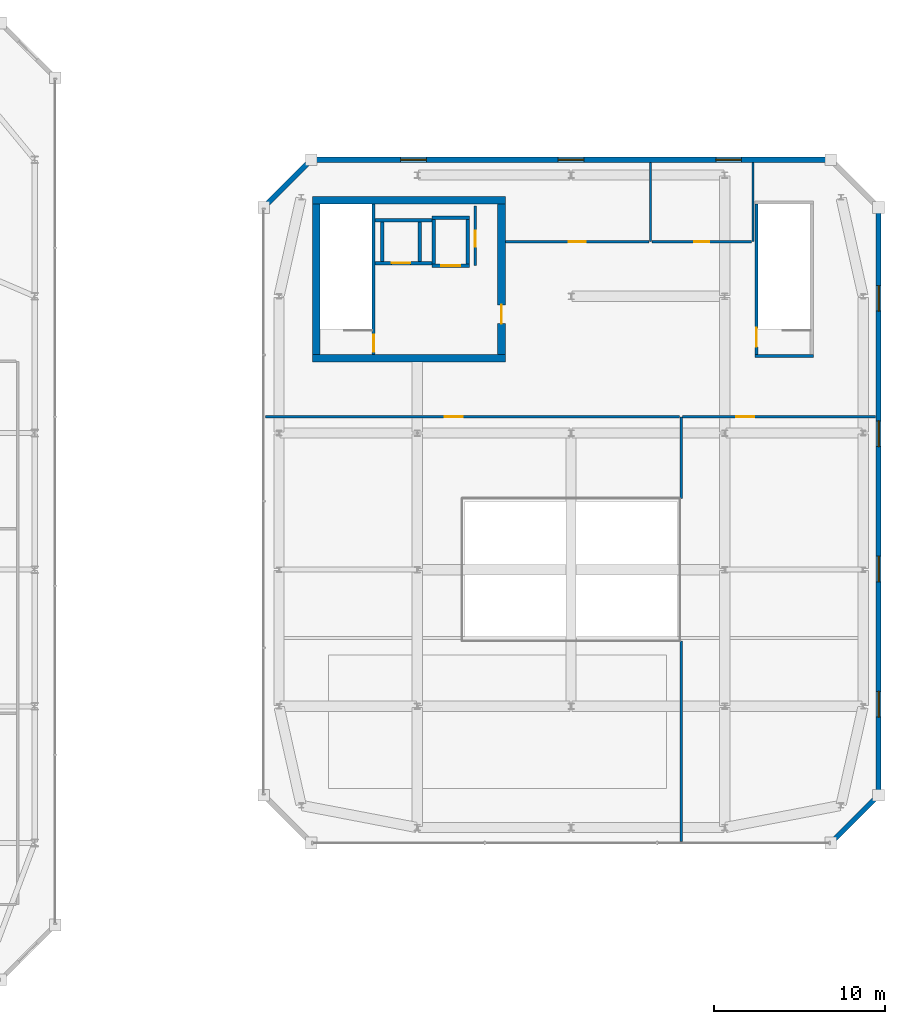
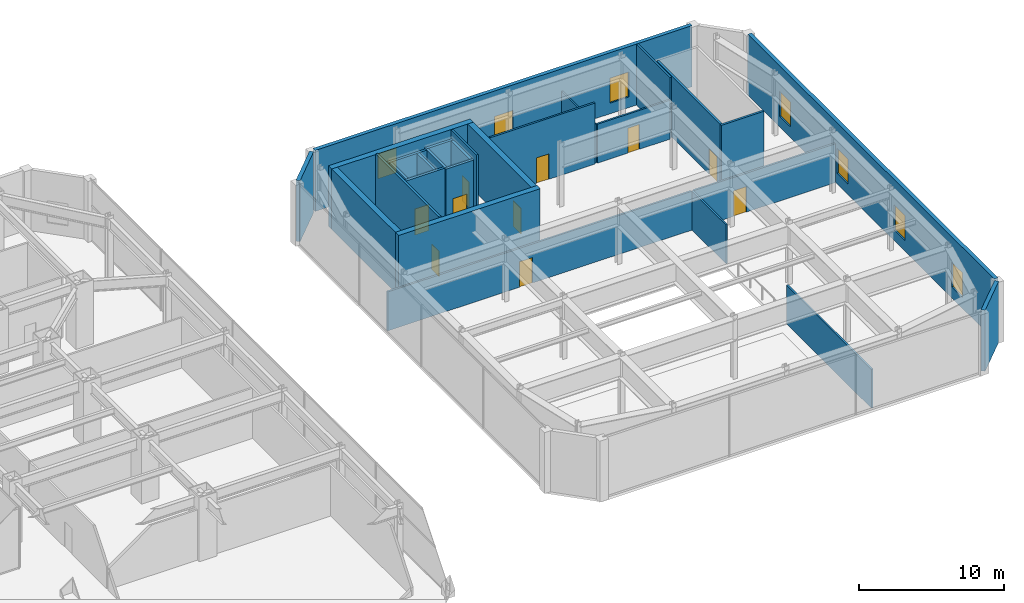
# One storey, part 46 of 53: 28 walls, 10 doors, 7 windows, 17 openings.
"""IFC4 building model written with IfcOpenShell, lengths in metres."""

from ifc_helpers import new_model, si_unit, direction, frame, frame_2d, origin, place, context, subcontext, project, spatial, rectangle, extrude, material, layer, layer_set, type_object, element, fill, save


model = new_model("IFC4")

# Units and contexts
model_context = context("Model", 3, precision=1e-05, world=origin(), true_north=direction((0.0, 1.0)))
body_context = subcontext(model_context, "Body", "Model", "MODEL_VIEW")
ifc_project = project(units=[si_unit("LENGTHUNIT", "METRE"), si_unit("AREAUNIT", "SQUARE_METRE"), si_unit("VOLUMEUNIT", "CUBIC_METRE"), si_unit("PLANEANGLEUNIT", "RADIAN"), si_unit("MASSUNIT", "GRAM", prefix="KILO")], contexts=[model_context])

# Site, building, storey
site_placement = place(None, origin())
site = spatial("IfcSite", under=ifc_project, at=site_placement, CompositionType="ELEMENT")
building_placement = place(site_placement, origin())
building = spatial("IfcBuilding", under=site, at=building_placement, Name="Saevonmaru Cultural Tower", CompositionType="ELEMENT")
storey_placement = place(building_placement, frame((0.0, 0.0, 22.199951171875)))
storey = spatial("IfcBuildingStorey", under=building, at=storey_placement, Name="L04", CompositionType="ELEMENT", Elevation=22.199951171875)

# Wall, opening, door
ifc_material_1 = material(Name="Gypsum Fireboard Partition", Category="gypsum")
ifc_layer_1 = layer(ifc_material_1, 0.14990234375, Name="Gypsum Fireboard Partition")
ifc_layer_set_1 = layer_set([ifc_layer_1], Name="Gypsum Fireboard Partition")
wall_type_1 = type_object("IfcWallType", Name="WL-CORE-PART-150", PredefinedType="PARTITIONING", material=ifc_layer_set_1)
wall_1_placement = place(storey_placement, frame((84.60009765625, 41.800048828125, 0.0), z_axis=(0.0, 0.0, 1.0), x_axis=(0.0, 1.0, 0.0)))
wall_1 = element("IfcWall", 1, at=wall_1_placement, inside=storey, type_object=wall_type_1, Name="L04 Library Core Riser Wall", PredefinedType="PARTITIONING", context=body_context, shape_type="SweptSolid", body=[
    extrude(rectangle(XDim=3.5, YDim=0.14990234375, at=frame_2d((1.75, 0.0))), origin(), (0.0, 0.0, 1.0), 5.150146484375),
])
opening_1_placement = place(wall_1_placement, frame((1.10009765625, 0.0, 0.0)))
opening_1 = element("IfcOpeningElement", 2, at=opening_1_placement, cuts=wall_1, Name="Opening FD-4", PredefinedType="OPENING", context=body_context, shape_type="SweptSolid", body=[
    extrude(rectangle(XDim=0.949951171875, YDim=2.14990234375, at=frame_2d((0.47509765625, 1.074951171875))), frame((0.0, 0.0849609375, 0.0), z_axis=(0.0, -1.0, 0.0), x_axis=(1.0, 0.0, 0.0)), (0.0, 0.0, 1.0), 0.169921875),
])
ifc_material_2 = material(Name="Satin Bronze Anodised Aluminium", Category="aluminium")
door_type_1 = type_object("IfcDoorType", Name="DR-FD60-950", OperationType="SINGLE_SWING_LEFT", PredefinedType="DOOR", material=ifc_material_2)
door_1_placement = place(opening_1_placement, origin())
door_1 = element("IfcDoor", 3, at=door_1_placement, inside=storey, type_object=door_type_1, Name="L04 Library Core Riser Plant Door", OperationType="SINGLE_SWING_LEFT", OverallHeight=2.14990234375, OverallWidth=0.949951171875, PredefinedType="DOOR", context=body_context, shape_type="SweptSolid", body=[
    extrude(rectangle(XDim=0.949951171875, YDim=2.14990234375, at=frame_2d((0.47509765625, 1.074951171875))), frame((0.0, 0.02490234375, 0.0), z_axis=(0.0, -1.0, 0.0), x_axis=(1.0, 0.0, 0.0)), (0.0, 0.0, 1.0), 0.050048828125),
])
fill(opening_1, door_1)

# Wall
ifc_material_3 = material(Name="Warm Limestone Precast Concrete C40/50", Category="masonry")
ifc_layer_2 = layer(ifc_material_3, 0.300048828125, Name="Warm Limestone Precast Concrete C40/50")
ifc_layer_set_2 = layer_set([ifc_layer_2], Name="Warm Limestone Precast Concrete C40/50")
wall_type_2 = type_object("IfcWallType", Name="WL-EXT-LIB-300", PredefinedType="STANDARD", material=ifc_layer_set_2)
wall_2_placement = place(storey_placement, frame((105.51318359375, 8.113037109375, 0.0), z_axis=(0.0, 0.0, 1.0), x_axis=(0.707073244381, 0.707140316402, 0.0)))
element("IfcWall", 4, at=wall_2_placement, inside=storey, type_object=wall_type_2, Name="L04 Central Library Fluted Stone Wall E3", PredefinedType="STANDARD", context=body_context, shape_type="SweptSolid", body=[
    extrude(rectangle(XDim=3.639892578125, YDim=0.300048828125, at=frame_2d((1.81982421875, 0.0))), origin(), (0.0, 0.0, 1.0), 5.150146484375),
])

# Wall, openings, windows
wall_3_placement = place(storey_placement, frame((108.199951171875, 10.9599609375, 0.0), z_axis=(0.0, 0.0, 1.0), x_axis=(0.0, 1.0, 0.0)))
wall_3 = element("IfcWall", 5, at=wall_3_placement, inside=storey, type_object=wall_type_2, Name="L04 Central Library Fluted Stone Wall E4", PredefinedType="STANDARD", context=body_context, shape_type="SweptSolid", body=[
    extrude(rectangle(XDim=34.080078125, YDim=0.300048828125, at=frame_2d((17.0400390625, 0.0))), origin(), (0.0, 0.0, 1.0), 5.150146484375),
])
opening_2_placement = place(wall_3_placement, frame((4.409912109375, 0.0, 0.89990234375)))
opening_2 = element("IfcOpeningElement", 6, at=opening_2_placement, cuts=wall_3, Name="Opening W-3C", PredefinedType="OPENING", context=body_context, shape_type="SweptSolid", body=[
    extrude(rectangle(XDim=1.5, YDim=2.10009765625, at=frame_2d((0.75, 1.050048828125))), frame((0.0, 0.16015625, 0.0), z_axis=(0.0, -1.0, 0.0), x_axis=(1.0, 0.0, 0.0)), (0.0, 0.0, 1.0), 0.320068359375),
])
opening_3_placement = place(wall_3_placement, frame((12.330078125, 0.0, 0.89990234375)))
opening_3 = element("IfcOpeningElement", 7, at=opening_3_placement, cuts=wall_3, Name="Opening W-3C", PredefinedType="OPENING", context=body_context, shape_type="SweptSolid", body=[
    extrude(rectangle(XDim=1.5, YDim=2.10009765625, at=frame_2d((0.75, 1.050048828125))), frame((0.0, 0.16015625, 0.0), z_axis=(0.0, -1.0, 0.0), x_axis=(1.0, 0.0, 0.0)), (0.0, 0.0, 1.0), 0.320068359375),
])
opening_4_placement = place(wall_3_placement, frame((20.25, 0.0, 0.89990234375)))
opening_4 = element("IfcOpeningElement", 8, at=opening_4_placement, cuts=wall_3, Name="Opening W-3C", PredefinedType="OPENING", context=body_context, shape_type="SweptSolid", body=[
    extrude(rectangle(XDim=1.5, YDim=2.10009765625, at=frame_2d((0.75, 1.050048828125))), frame((0.0, 0.16015625, 0.0), z_axis=(0.0, -1.0, 0.0), x_axis=(1.0, 0.0, 0.0)), (0.0, 0.0, 1.0), 0.320068359375),
])
opening_5_placement = place(wall_3_placement, frame((28.169921875, 0.0, 0.89990234375)))
opening_5 = element("IfcOpeningElement", 9, at=opening_5_placement, cuts=wall_3, Name="Opening W-3C", PredefinedType="OPENING", context=body_context, shape_type="SweptSolid", body=[
    extrude(rectangle(XDim=1.5, YDim=2.10009765625, at=frame_2d((0.75, 1.050048828125))), frame((0.0, 0.16015625, 0.0), z_axis=(0.0, -1.0, 0.0), x_axis=(1.0, 0.0, 0.0)), (0.0, 0.0, 1.0), 0.320068359375),
])
window_type = type_object("IfcWindowType", Name="WN-LIB-1500x2100", PartitioningType="SINGLE_PANEL", PredefinedType="WINDOW", material=ifc_material_2)
window_1_placement = place(opening_2_placement, origin())
window_1 = element("IfcWindow", 10, at=window_1_placement, inside=storey, type_object=window_type, Name="L04 Library Reading Window E4-1", OverallHeight=2.10009765625, OverallWidth=1.5, PartitioningType="SINGLE_PANEL", PredefinedType="WINDOW", context=body_context, shape_type="SweptSolid", body=[
    extrude(rectangle(XDim=1.5, YDim=2.10009765625, at=frame_2d((0.75, 1.050048828125))), frame((0.0, 0.030029296875, 0.0), z_axis=(0.0, -1.0, 0.0), x_axis=(1.0, 0.0, 0.0)), (0.0, 0.0, 1.0), 0.06005859375),
])
fill(opening_2, window_1)
window_2_placement = place(opening_3_placement, origin())
window_2 = element("IfcWindow", 11, at=window_2_placement, inside=storey, type_object=window_type, Name="L04 Library Reading Window E4-2", OverallHeight=2.10009765625, OverallWidth=1.5, PartitioningType="SINGLE_PANEL", PredefinedType="WINDOW", context=body_context, shape_type="SweptSolid", body=[
    extrude(rectangle(XDim=1.5, YDim=2.10009765625, at=frame_2d((0.75, 1.050048828125))), frame((0.0, 0.030029296875, 0.0), z_axis=(0.0, -1.0, 0.0), x_axis=(1.0, 0.0, 0.0)), (0.0, 0.0, 1.0), 0.06005859375),
])
fill(opening_3, window_2)
window_3_placement = place(opening_4_placement, origin())
window_3 = element("IfcWindow", 12, at=window_3_placement, inside=storey, type_object=window_type, Name="L04 Library Reading Window E4-3", OverallHeight=2.10009765625, OverallWidth=1.5, PartitioningType="SINGLE_PANEL", PredefinedType="WINDOW", context=body_context, shape_type="SweptSolid", body=[
    extrude(rectangle(XDim=1.5, YDim=2.10009765625, at=frame_2d((0.75, 1.050048828125))), frame((0.0, 0.030029296875, 0.0), z_axis=(0.0, -1.0, 0.0), x_axis=(1.0, 0.0, 0.0)), (0.0, 0.0, 1.0), 0.06005859375),
])
fill(opening_4, window_3)
window_4_placement = place(opening_5_placement, origin())
window_4 = element("IfcWindow", 13, at=window_4_placement, inside=storey, type_object=window_type, Name="L04 Library Reading Window E4-4", OverallHeight=2.10009765625, OverallWidth=1.5, PartitioningType="SINGLE_PANEL", PredefinedType="WINDOW", context=body_context, shape_type="SweptSolid", body=[
    extrude(rectangle(XDim=1.5, YDim=2.10009765625, at=frame_2d((0.75, 1.050048828125))), frame((0.0, 0.030029296875, 0.0), z_axis=(0.0, -1.0, 0.0), x_axis=(1.0, 0.0, 0.0)), (0.0, 0.0, 1.0), 0.06005859375),
])
fill(opening_5, window_4)

wall_4_placement = place(storey_placement, frame((105.239990234375, 48.0, 0.0), z_axis=(0.0, 0.0, 1.0), x_axis=(-1.0, 0.0, 0.0)))
wall_4 = element("IfcWall", 14, at=wall_4_placement, inside=storey, type_object=wall_type_2, Name="L04 Central Library Fluted Stone Wall E6", PredefinedType="STANDARD", context=body_context, shape_type="SweptSolid", body=[
    extrude(rectangle(XDim=30.080078125, YDim=0.300048828125, at=frame_2d((15.0400390625, 0.0))), origin(), (0.0, 0.0, 1.0), 5.150146484375),
])
opening_6_placement = place(wall_4_placement, frame((5.06298828125, 0.0, 0.89990234375)))
opening_6 = element("IfcOpeningElement", 15, at=opening_6_placement, cuts=wall_4, Name="Opening W-3C", PredefinedType="OPENING", context=body_context, shape_type="SweptSolid", body=[
    extrude(rectangle(XDim=1.5, YDim=2.10009765625, at=frame_2d((0.75, 1.050048828125))), frame((0.0, 0.16015625, 0.0), z_axis=(0.0, -1.0, 0.0), x_axis=(1.0, 0.0, 0.0)), (0.0, 0.0, 1.0), 0.320068359375),
])
opening_7_placement = place(wall_4_placement, frame((14.2900390625, 0.0, 0.89990234375)))
opening_7 = element("IfcOpeningElement", 16, at=opening_7_placement, cuts=wall_4, Name="Opening W-3C", PredefinedType="OPENING", context=body_context, shape_type="SweptSolid", body=[
    extrude(rectangle(XDim=1.5, YDim=2.10009765625, at=frame_2d((0.75, 1.050048828125))), frame((0.0, 0.16015625, 0.0), z_axis=(0.0, -1.0, 0.0), x_axis=(1.0, 0.0, 0.0)), (0.0, 0.0, 1.0), 0.320068359375),
])
opening_8_placement = place(wall_4_placement, frame((23.51708984375, 0.0, 0.89990234375)))
opening_8 = element("IfcOpeningElement", 17, at=opening_8_placement, cuts=wall_4, Name="Opening W-3C", PredefinedType="OPENING", context=body_context, shape_type="SweptSolid", body=[
    extrude(rectangle(XDim=1.5, YDim=2.10009765625, at=frame_2d((0.75, 1.050048828125))), frame((0.0, 0.16015625, 0.0), z_axis=(0.0, -1.0, 0.0), x_axis=(1.0, 0.0, 0.0)), (0.0, 0.0, 1.0), 0.320068359375),
])
window_5_placement = place(opening_6_placement, origin())
window_5 = element("IfcWindow", 18, at=window_5_placement, inside=storey, type_object=window_type, Name="L04 Library Reading Window E6-1", OverallHeight=2.10009765625, OverallWidth=1.5, PartitioningType="SINGLE_PANEL", PredefinedType="WINDOW", context=body_context, shape_type="SweptSolid", body=[
    extrude(rectangle(XDim=1.5, YDim=2.10009765625, at=frame_2d((0.75, 1.050048828125))), frame((0.0, 0.030029296875, 0.0), z_axis=(0.0, -1.0, 0.0), x_axis=(1.0, 0.0, 0.0)), (0.0, 0.0, 1.0), 0.06005859375),
])
fill(opening_6, window_5)
window_6_placement = place(opening_7_placement, origin())
window_6 = element("IfcWindow", 19, at=window_6_placement, inside=storey, type_object=window_type, Name="L04 Library Reading Window E6-2", OverallHeight=2.10009765625, OverallWidth=1.5, PartitioningType="SINGLE_PANEL", PredefinedType="WINDOW", context=body_context, shape_type="SweptSolid", body=[
    extrude(rectangle(XDim=1.5, YDim=2.10009765625, at=frame_2d((0.75, 1.050048828125))), frame((0.0, 0.030029296875, 0.0), z_axis=(0.0, -1.0, 0.0), x_axis=(1.0, 0.0, 0.0)), (0.0, 0.0, 1.0), 0.06005859375),
])
fill(opening_7, window_6)
window_7_placement = place(opening_8_placement, origin())
window_7 = element("IfcWindow", 20, at=window_7_placement, inside=storey, type_object=window_type, Name="L04 Library Reading Window E6-3", OverallHeight=2.10009765625, OverallWidth=1.5, PartitioningType="SINGLE_PANEL", PredefinedType="WINDOW", context=body_context, shape_type="SweptSolid", body=[
    extrude(rectangle(XDim=1.5, YDim=2.10009765625, at=frame_2d((0.75, 1.050048828125))), frame((0.0, 0.030029296875, 0.0), z_axis=(0.0, -1.0, 0.0), x_axis=(1.0, 0.0, 0.0)), (0.0, 0.0, 1.0), 0.06005859375),
])
fill(opening_8, window_7)

# Walls
wall_5_placement = place(storey_placement, frame((74.886962890625, 47.886962890625, 0.0), z_axis=(0.0, 0.0, 1.0), x_axis=(-0.707106781187, -0.707106781187, 0.0)))
element("IfcWall", 21, at=wall_5_placement, inside=storey, type_object=wall_type_2, Name="L04 Central Library Fluted Stone Wall E7", PredefinedType="STANDARD", context=body_context, shape_type="SweptSolid", body=[
    extrude(rectangle(XDim=3.64013671875, YDim=0.300048828125, at=frame_2d((1.820068359375, 0.0))), origin(), (0.0, 0.0, 1.0), 5.150146484375),
])
ifc_material_4 = material(Name="Concrete C50/60", Category="concrete")
ifc_layer_3 = layer(ifc_material_4, 0.449951171875, Name="Concrete C50/60")
ifc_layer_set_3 = layer_set([ifc_layer_3], Name="Concrete C50/60")
wall_type_3 = type_object("IfcWallType", Name="WL-LCORE-450", PredefinedType="SHEAR", material=ifc_layer_set_3)
for number, where, z_axis, x_axis, name in (
    (22, (75.050048828125, 36.375, 0.0), (0.0, 0.0, 1.0), (1.0, 0.0, 0.0), "L04 Central Library RC core shear wall S"),
    (23, (75.050048828125, 45.625, 0.0), (0.0, 0.0, 1.0), (1.0, 0.0, 0.0), "L04 Central Library RC core shear wall N"),
):
    element("IfcWall", number, at=place(storey_placement, frame(where, z_axis=z_axis, x_axis=x_axis)), inside=storey, type_object=wall_type_3, Name=name, PredefinedType="SHEAR", context=body_context, shape_type="SweptSolid", body=[
        extrude(rectangle(XDim=11.300048828125, YDim=0.449951171875, at=frame_2d((5.64990234375, 0.0))), origin(), (0.0, 0.0, 1.0), 5.10009765625),
    ])
wall_6_placement = place(storey_placement, frame((75.27490234375, 36.60009765625, 0.0), z_axis=(0.0, 0.0, 1.0), x_axis=(0.0, 1.0, 0.0)))
element("IfcWall", 24, at=wall_6_placement, inside=storey, type_object=wall_type_3, Name="L04 Central Library RC core shear wall W", PredefinedType="SHEAR", context=body_context, shape_type="SweptSolid", body=[
    extrude(rectangle(XDim=8.7998046875, YDim=0.449951171875, at=frame_2d((4.39990234375, 0.0))), origin(), (0.0, 0.0, 1.0), 5.10009765625),
])

# Wall, opening, door
wall_7_placement = place(storey_placement, frame((86.125, 36.60009765625, 0.0), z_axis=(0.0, 0.0, 1.0), x_axis=(0.0, 1.0, 0.0)))
wall_7 = element("IfcWall", 25, at=wall_7_placement, inside=storey, type_object=wall_type_3, Name="L04 Central Library RC core shear wall E", PredefinedType="SHEAR", context=body_context, shape_type="SweptSolid", body=[
    extrude(rectangle(XDim=8.7998046875, YDim=0.449951171875, at=frame_2d((4.39990234375, 0.0))), origin(), (0.0, 0.0, 1.0), 5.10009765625),
])
opening_9_placement = place(wall_7_placement, frame((1.800048828125, 0.0, 0.0)))
opening_9 = element("IfcOpeningElement", 26, at=opening_9_placement, cuts=wall_7, Name="Opening FD-2", PredefinedType="OPENING", context=body_context, shape_type="SweptSolid", body=[
    extrude(rectangle(XDim=1.10009765625, YDim=2.14990234375, at=frame_2d((0.550048828125, 1.074951171875))), frame((0.0, 0.23486328125, 0.0), z_axis=(0.0, -1.0, 0.0), x_axis=(1.0, 0.0, 0.0)), (0.0, 0.0, 1.0), 0.469970703125),
])
door_type_2 = type_object("IfcDoorType", Name="DR-FD60-1100", OperationType="SINGLE_SWING_LEFT", PredefinedType="DOOR", material=ifc_material_2)
door_2_placement = place(opening_9_placement, origin())
door_2 = element("IfcDoor", 27, at=door_2_placement, inside=storey, type_object=door_type_2, Name="L04 Library Core Lobby Fire Door", OperationType="SINGLE_SWING_LEFT", OverallHeight=2.14990234375, OverallWidth=1.10009765625, PredefinedType="DOOR", context=body_context, shape_type="SweptSolid", body=[
    extrude(rectangle(XDim=1.10009765625, YDim=2.14990234375, at=frame_2d((0.550048828125, 1.074951171875))), frame((0.0, 0.02490234375, 0.0), z_axis=(0.0, -1.0, 0.0), x_axis=(1.0, 0.0, 0.0)), (0.0, 0.0, 1.0), 0.050048828125),
])
fill(opening_9, door_2)

ifc_layer_4 = layer(ifc_material_1, 0.14990234375, Name="Gypsum Fireboard Partition")
ifc_layer_set_4 = layer_set([ifc_layer_4], Name="Gypsum Fireboard Partition")
wall_type_4 = type_object("IfcWallType", Name="WL-PART-FIRE-150", PredefinedType="PARTITIONING", material=ifc_layer_set_4)
wall_8_placement = place(storey_placement, frame((72.300048828125, 32.949951171875, 0.0), z_axis=(0.0, 0.0, 1.0), x_axis=(1.0, 0.0, 0.0)))
wall_8 = element("IfcWall", 28, at=wall_8_placement, inside=storey, type_object=wall_type_4, Name="L04 Library West Reading Concourse Wall", PredefinedType="PARTITIONING", context=body_context, shape_type="SweptSolid", body=[
    extrude(rectangle(XDim=24.262451171875, YDim=0.14990234375, at=frame_2d((12.13134765625, 0.0))), origin(), (0.0, 0.0, 1.0), 3.28515625),
])
opening_10_placement = place(wall_8_placement, frame((10.506103515625, 0.0, 0.0)))
opening_10 = element("IfcOpeningElement", 29, at=opening_10_placement, cuts=wall_8, Name="Opening ID-1", PredefinedType="OPENING", context=body_context, shape_type="SweptSolid", body=[
    extrude(rectangle(XDim=1.050048828125, YDim=2.14990234375, at=frame_2d((0.52490234375, 1.074951171875))), frame((0.0, 0.0849609375, 0.0), z_axis=(0.0, -1.0, 0.0), x_axis=(1.0, 0.0, 0.0)), (0.0, 0.0, 1.0), 0.169921875),
])
door_type_3 = type_object("IfcDoorType", Name="DR-INT-1050", OperationType="SINGLE_SWING_LEFT", PredefinedType="DOOR", material=ifc_material_2)
door_3_placement = place(opening_10_placement, origin())
door_3 = element("IfcDoor", 30, at=door_3_placement, inside=storey, type_object=door_type_3, Name="L04 South Open Reading Gallery Door", OperationType="SINGLE_SWING_LEFT", OverallHeight=2.14990234375, OverallWidth=1.050048828125, PredefinedType="DOOR", context=body_context, shape_type="SweptSolid", body=[
    extrude(rectangle(XDim=1.050048828125, YDim=2.14990234375, at=frame_2d((0.52490234375, 1.074951171875))), frame((0.0, 0.02490234375, 0.0), z_axis=(0.0, -1.0, 0.0), x_axis=(1.0, 0.0, 0.0)), (0.0, 0.0, 1.0), 0.050048828125),
])
fill(opening_10, door_3)

wall_9_placement = place(storey_placement, frame((96.737548828125, 32.949951171875, 0.0), z_axis=(0.0, 0.0, 1.0), x_axis=(1.0, 0.0, 0.0)))
wall_9 = element("IfcWall", 31, at=wall_9_placement, inside=storey, type_object=wall_type_4, Name="L04 Library East Reading Concourse Wall", PredefinedType="PARTITIONING", context=body_context, shape_type="SweptSolid", body=[
    extrude(rectangle(XDim=11.29248046875, YDim=0.14990234375, at=frame_2d((5.646240234375, 0.0))), origin(), (0.0, 0.0, 1.0), 3.28515625),
])
opening_11_placement = place(wall_9_placement, frame((3.14111328125, 0.0, 0.0)))
opening_11 = element("IfcOpeningElement", 32, at=opening_11_placement, cuts=wall_9, Name="Opening ID-1", PredefinedType="OPENING", context=body_context, shape_type="SweptSolid", body=[
    extrude(rectangle(XDim=1.050048828125, YDim=2.14990234375, at=frame_2d((0.52490234375, 1.074951171875))), frame((0.0, 0.0849609375, 0.0), z_axis=(0.0, -1.0, 0.0), x_axis=(1.0, 0.0, 0.0)), (0.0, 0.0, 1.0), 0.169921875),
])
door_4_placement = place(opening_11_placement, origin())
door_4 = element("IfcDoor", 33, at=door_4_placement, inside=storey, type_object=door_type_3, Name="L04 East Atrium Reading Gallery Door", OperationType="SINGLE_SWING_RIGHT", OverallHeight=2.14990234375, OverallWidth=1.050048828125, PredefinedType="DOOR", context=body_context, shape_type="SweptSolid", body=[
    extrude(rectangle(XDim=1.050048828125, YDim=2.14990234375, at=frame_2d((0.52490234375, 1.074951171875))), frame((0.0, 0.02490234375, 0.0), z_axis=(0.0, -1.0, 0.0), x_axis=(1.0, 0.0, 0.0)), (0.0, 0.0, 1.0), 0.050048828125),
])
fill(opening_11, door_4)

wall_10_placement = place(storey_placement, frame((86.3701171875, 43.199951171875, 0.0), z_axis=(0.0, 0.0, 1.0), x_axis=(1.0, 0.0, 0.0)))
wall_10 = element("IfcWall", 34, at=wall_10_placement, inside=storey, type_object=wall_type_4, Name="L04 Library Rare Book Room Wall", PredefinedType="PARTITIONING", context=body_context, shape_type="SweptSolid", body=[
    extrude(rectangle(XDim=8.389892578125, YDim=0.14990234375, at=frame_2d((4.19482421875, 0.0))), origin(), (0.0, 0.0, 1.0), 5.150146484375),
])
opening_12_placement = place(wall_10_placement, frame((3.695068359375, 0.0, 0.0)))
opening_12 = element("IfcOpeningElement", 35, at=opening_12_placement, cuts=wall_10, Name="Opening FD-3", PredefinedType="OPENING", context=body_context, shape_type="SweptSolid", body=[
    extrude(rectangle(XDim=1.0, YDim=2.14990234375, at=frame_2d((0.5, 1.074951171875))), frame((0.0, 0.0849609375, 0.0), z_axis=(0.0, -1.0, 0.0), x_axis=(1.0, 0.0, 0.0)), (0.0, 0.0, 1.0), 0.169921875),
])
door_type_4 = type_object("IfcDoorType", Name="DR-FD60-1000", OperationType="SINGLE_SWING_RIGHT", PredefinedType="DOOR", material=ifc_material_2)
door_5_placement = place(opening_12_placement, origin())
door_5 = element("IfcDoor", 36, at=door_5_placement, inside=storey, type_object=door_type_4, Name="L04 Rare Book Archive Door", OperationType="SINGLE_SWING_LEFT", OverallHeight=2.14990234375, OverallWidth=1.0, PredefinedType="DOOR", context=body_context, shape_type="SweptSolid", body=[
    extrude(rectangle(XDim=1.0, YDim=2.14990234375, at=frame_2d((0.5, 1.074951171875))), frame((0.0, 0.02490234375, 0.0), z_axis=(0.0, -1.0, 0.0), x_axis=(1.0, 0.0, 0.0)), (0.0, 0.0, 1.0), 0.050048828125),
])
fill(opening_12, door_5)

# Walls
ifc_layer_5 = layer(ifc_material_1, 0.135009765625, Name="Gypsum Fireboard Partition")
ifc_layer_set_5 = layer_set([ifc_layer_5], Name="Gypsum Fireboard Partition")
wall_type_5 = type_object("IfcWallType", Name="WL-PART-GYP-135", PredefinedType="PARTITIONING", material=ifc_layer_set_5)
wall_11_placement = place(storey_placement, frame((96.64990234375, 8.10009765625, 0.0), z_axis=(0.0, 0.0, 1.0), x_axis=(0.0, 1.0, 0.0)))
element("IfcWall", 37, at=wall_11_placement, inside=storey, type_object=wall_type_5, Name="L04 Library South-East Gallery Wall", PredefinedType="PARTITIONING", context=body_context, shape_type="SweptSolid", body=[
    extrude(rectangle(XDim=11.719970703125, YDim=0.135009765625, at=frame_2d((5.85986328125, 0.0))), origin(), (0.0, 0.0, 1.0), 3.28515625),
])
wall_12_placement = place(storey_placement, frame((96.64990234375, 28.179931640625, 0.0), z_axis=(0.0, 0.0, 1.0), x_axis=(0.0, 1.0, 0.0)))
element("IfcWall", 38, at=wall_12_placement, inside=storey, type_object=wall_type_5, Name="L04 Library North-East Gallery Wall", PredefinedType="PARTITIONING", context=body_context, shape_type="SweptSolid", body=[
    extrude(rectangle(XDim=4.77001953125, YDim=0.135009765625, at=frame_2d((2.385009765625, 0.0))), origin(), (0.0, 0.0, 1.0), 3.28515625),
])
ifc_layer_6 = layer(ifc_material_1, 0.139892578125, Name="Gypsum Fireboard Partition")
ifc_layer_set_6 = layer_set([ifc_layer_6], Name="Gypsum Fireboard Partition")
wall_type_6 = type_object("IfcWallType", Name="WL-PART-WET-140", PredefinedType="PARTITIONING", material=ifc_layer_set_6)
wall_13_placement = place(storey_placement, frame((94.85009765625, 43.199951171875, 0.0), z_axis=(0.0, 0.0, 1.0), x_axis=(0.0, 1.0, 0.0)))
element("IfcWall", 39, at=wall_13_placement, inside=storey, type_object=wall_type_6, Name="L04 Library Archive-Washroom Divider", PredefinedType="PARTITIONING", context=body_context, shape_type="SweptSolid", body=[
    extrude(rectangle(XDim=4.630126953125, YDim=0.139892578125, at=frame_2d((2.31494140625, 0.0))), origin(), (0.0, 0.0, 1.0), 3.28515625),
])
wall_14_placement = place(storey_placement, frame((100.85009765625, 43.199951171875, 0.0), z_axis=(0.0, 0.0, 1.0), x_axis=(0.0, 1.0, 0.0)))
element("IfcWall", 40, at=wall_14_placement, inside=storey, type_object=wall_type_6, Name="L04 Library Washroom East Wall", PredefinedType="PARTITIONING", context=body_context, shape_type="SweptSolid", body=[
    extrude(rectangle(XDim=4.630126953125, YDim=0.139892578125, at=frame_2d((2.31494140625, 0.0))), origin(), (0.0, 0.0, 1.0), 5.150146484375),
])

# Wall, opening, door
wall_15_placement = place(storey_placement, frame((94.93994140625, 43.199951171875, 0.0), z_axis=(0.0, 0.0, 1.0), x_axis=(1.0, 0.0, 0.0)))
wall_15 = element("IfcWall", 41, at=wall_15_placement, inside=storey, type_object=wall_type_6, Name="L04 Library Washroom Wall", PredefinedType="PARTITIONING", context=body_context, shape_type="SweptSolid", body=[
    extrude(rectangle(XDim=5.820068359375, YDim=0.139892578125, at=frame_2d((2.91015625, 0.0))), origin(), (0.0, 0.0, 1.0), 3.28515625),
])
opening_13_placement = place(wall_15_placement, frame((2.4599609375, 0.0, 0.0)))
opening_13 = element("IfcOpeningElement", 42, at=opening_13_placement, cuts=wall_15, Name="Opening ID-2", PredefinedType="OPENING", context=body_context, shape_type="SweptSolid", body=[
    extrude(rectangle(XDim=0.89990234375, YDim=2.10009765625, at=frame_2d((0.449951171875, 1.050048828125))), frame((0.0, 0.080078125, 0.0), z_axis=(0.0, -1.0, 0.0), x_axis=(1.0, 0.0, 0.0)), (0.0, 0.0, 1.0), 0.159912109375),
])
ifc_material_5 = material(Name="Acoustic Stained Oak Timber", Category="wood")
door_type_5 = type_object("IfcDoorType", Name="DR-INT-900", OperationType="SINGLE_SWING_RIGHT", PredefinedType="DOOR", material=ifc_material_5)
door_6_placement = place(opening_13_placement, origin())
door_6 = element("IfcDoor", 43, at=door_6_placement, inside=storey, type_object=door_type_5, Name="L04 Library Accessible Washroom Door", OperationType="SINGLE_SWING_RIGHT", OverallHeight=2.10009765625, OverallWidth=0.89990234375, PredefinedType="DOOR", context=body_context, shape_type="SweptSolid", body=[
    extrude(rectangle(XDim=0.89990234375, YDim=2.10009765625, at=frame_2d((0.449951171875, 1.050048828125))), frame((0.0, 0.02490234375, 0.0), z_axis=(0.0, -1.0, 0.0), x_axis=(1.0, 0.0, 0.0)), (0.0, 0.0, 1.0), 0.050048828125),
])
fill(opening_13, door_6)

ifc_material_6 = material(Name="Concrete C40/50", Category="concrete")
ifc_layer_7 = layer(ifc_material_6, 0.199951171875, Name="Concrete C40/50")
ifc_layer_set_7 = layer_set([ifc_layer_7], Name="Concrete C40/50")
wall_type_7 = type_object("IfcWallType", Name="WL-SHAFT-200", PredefinedType="SHEAR", material=ifc_layer_set_7)
wall_16_placement = place(storey_placement, frame((78.72998046875, 41.949951171875, 0.0), z_axis=(0.0, 0.0, 1.0), x_axis=(1.0, 0.0, 0.0)))
wall_16 = element("IfcWall", 44, at=wall_16_placement, inside=storey, type_object=wall_type_7, Name="L04 Lift LLF-1 Hoistway Wall S", PredefinedType="SHEAR", context=body_context, shape_type="SweptSolid", body=[
    extrude(rectangle(XDim=3.320068359375, YDim=0.199951171875, at=frame_2d((1.66015625, 0.0))), origin(), (0.0, 0.0, 1.0), 4.880126953125),
])
opening_14_placement = place(wall_16_placement, frame((0.969970703125, 0.0, 0.0)))
opening_14 = element("IfcOpeningElement", 45, at=opening_14_placement, cuts=wall_16, Name="Opening LD-1", PredefinedType="OPENING", context=body_context, shape_type="SweptSolid", body=[
    extrude(rectangle(XDim=1.10009765625, YDim=2.199951171875, at=frame_2d((0.550048828125, 1.10009765625))), frame((0.0, 0.10986328125, 0.0), z_axis=(0.0, -1.0, 0.0), x_axis=(1.0, 0.0, 0.0)), (0.0, 0.0, 1.0), 0.219970703125),
])
ifc_material_7 = material(Name="Satin Bronze Stainless Steel", Category="steel")
door_type_6 = type_object("IfcDoorType", Name="DR-LIFT-1100", OperationType="SLIDING_TO_LEFT", PredefinedType="DOOR", material=ifc_material_7)
door_7_placement = place(opening_14_placement, origin())
door_7 = element("IfcDoor", 46, at=door_7_placement, inside=storey, type_object=door_type_6, Name="L04 Lift LLF-1 Sliding Landing Door", OperationType="SLIDING_TO_LEFT", OverallHeight=2.199951171875, OverallWidth=1.10009765625, PredefinedType="DOOR", context=body_context, shape_type="SweptSolid", body=[
    extrude(rectangle(XDim=1.10009765625, YDim=2.199951171875, at=frame_2d((0.550048828125, 1.10009765625))), frame((0.0, 0.02490234375, 0.0), z_axis=(0.0, -1.0, 0.0), x_axis=(1.0, 0.0, 0.0)), (0.0, 0.0, 1.0), 0.050048828125),
])
fill(opening_14, door_7)

# Walls
wall_17_placement = place(storey_placement, frame((78.72998046875, 44.449951171875, 0.0), z_axis=(0.0, 0.0, 1.0), x_axis=(1.0, 0.0, 0.0)))
element("IfcWall", 47, at=wall_17_placement, inside=storey, type_object=wall_type_7, Name="L04 Lift LLF-1 Hoistway Wall N", PredefinedType="SHEAR", context=body_context, shape_type="SweptSolid", body=[
    extrude(rectangle(XDim=3.320068359375, YDim=0.199951171875, at=frame_2d((1.66015625, 0.0))), origin(), (0.0, 0.0, 1.0), 4.880126953125),
])
for number, where, z_axis, x_axis, name in (
    (48, (79.14990234375, 42.050048828125, 0.0), (0.0, 0.0, 1.0), (0.0, 1.0, 0.0), "L04 Lift LLF-1 Hoistway Wall W"),
    (49, (81.35009765625, 42.050048828125, 0.0), (0.0, 0.0, 1.0), (0.0, 1.0, 0.0), "L04 Lift LLF-1 Hoistway Wall E"),
):
    element("IfcWall", number, at=place(storey_placement, frame(where, z_axis=z_axis, x_axis=x_axis)), inside=storey, type_object=wall_type_7, Name=name, PredefinedType="SHEAR", context=body_context, shape_type="SweptSolid", body=[
        extrude(rectangle(XDim=2.300048828125, YDim=0.199951171875, at=frame_2d((1.14990234375, 0.0))), origin(), (0.0, 0.0, 1.0), 4.880126953125),
    ])

# Wall, opening, door
wall_18_placement = place(storey_placement, frame((82.050048828125, 41.800048828125, 0.0), z_axis=(0.0, 0.0, 1.0), x_axis=(1.0, 0.0, 0.0)))
wall_18 = element("IfcWall", 50, at=wall_18_placement, inside=storey, type_object=wall_type_7, Name="L04 Lift LLF-2 Hoistway Wall S", PredefinedType="SHEAR", context=body_context, shape_type="SweptSolid", body=[
    extrude(rectangle(XDim=2.199951171875, YDim=0.199951171875, at=frame_2d((1.10009765625, 0.0))), origin(), (0.0, 0.0, 1.0), 4.880126953125),
])
opening_15_placement = place(wall_18_placement, frame((0.550048828125, 0.0, 0.0)))
opening_15 = element("IfcOpeningElement", 51, at=opening_15_placement, cuts=wall_18, Name="Opening LD-1", PredefinedType="OPENING", context=body_context, shape_type="SweptSolid", body=[
    extrude(rectangle(XDim=1.10009765625, YDim=2.199951171875, at=frame_2d((0.550048828125, 1.10009765625))), frame((0.0, 0.10986328125, 0.0), z_axis=(0.0, -1.0, 0.0), x_axis=(1.0, 0.0, 0.0)), (0.0, 0.0, 1.0), 0.219970703125),
])
door_8_placement = place(opening_15_placement, origin())
door_8 = element("IfcDoor", 52, at=door_8_placement, inside=storey, type_object=door_type_6, Name="L04 Lift LLF-2 Sliding Landing Door", OperationType="SLIDING_TO_LEFT", OverallHeight=2.199951171875, OverallWidth=1.10009765625, PredefinedType="DOOR", context=body_context, shape_type="SweptSolid", body=[
    extrude(rectangle(XDim=1.10009765625, YDim=2.199951171875, at=frame_2d((0.550048828125, 1.10009765625))), frame((0.0, 0.02490234375, 0.0), z_axis=(0.0, -1.0, 0.0), x_axis=(1.0, 0.0, 0.0)), (0.0, 0.0, 1.0), 0.050048828125),
])
fill(opening_15, door_8)

# Walls
wall_19_placement = place(storey_placement, frame((82.050048828125, 44.60009765625, 0.0), z_axis=(0.0, 0.0, 1.0), x_axis=(1.0, 0.0, 0.0)))
element("IfcWall", 53, at=wall_19_placement, inside=storey, type_object=wall_type_7, Name="L04 Lift LLF-2 Hoistway Wall N", PredefinedType="SHEAR", context=body_context, shape_type="SweptSolid", body=[
    extrude(rectangle(XDim=2.199951171875, YDim=0.199951171875, at=frame_2d((1.10009765625, 0.0))), origin(), (0.0, 0.0, 1.0), 4.880126953125),
])
for number, where, z_axis, x_axis, name in (
    (54, (82.14990234375, 41.89990234375, 0.0), (0.0, 0.0, 1.0), (0.0, 1.0, 0.0), "L04 Lift LLF-2 Hoistway Wall W"),
    (55, (84.14990234375, 41.89990234375, 0.0), (0.0, 0.0, 1.0), (0.0, 1.0, 0.0), "L04 Lift LLF-2 Hoistway Wall E"),
):
    element("IfcWall", number, at=place(storey_placement, frame(where, z_axis=z_axis, x_axis=x_axis)), inside=storey, type_object=wall_type_7, Name=name, PredefinedType="SHEAR", context=body_context, shape_type="SweptSolid", body=[
        extrude(rectangle(XDim=2.60009765625, YDim=0.199951171875, at=frame_2d((1.300048828125, 0.0))), origin(), (0.0, 0.0, 1.0), 4.880126953125),
    ])

# Wall, opening, door
ifc_layer_8 = layer(ifc_material_6, 0.179931640625, Name="Concrete C40/50")
ifc_layer_set_8 = layer_set([ifc_layer_8], Name="Concrete C40/50")
wall_type_8 = type_object("IfcWallType", Name="WL-STSHAFT-180", PredefinedType="SHEAR", material=ifc_layer_set_8)
wall_20_placement = place(storey_placement, frame((78.639892578125, 36.60009765625, 0.0), z_axis=(0.0, 0.0, 1.0), x_axis=(0.0, 1.0, 0.0)))
wall_20 = element("IfcWall", 56, at=wall_20_placement, inside=storey, type_object=wall_type_8, Name="L04 Stair LST-1 Structural Shaft Wall 1", PredefinedType="SHEAR", context=body_context, shape_type="SweptSolid", body=[
    extrude(rectangle(XDim=8.7998046875, YDim=0.179931640625, at=frame_2d((4.39990234375, 0.0))), origin(), (0.0, 0.0, 1.0), 5.150146484375),
])
opening_16_placement = place(wall_20_placement, frame((0.159912109375, 0.0, 0.0)))
opening_16 = element("IfcOpeningElement", 57, at=opening_16_placement, cuts=wall_20, Name="Opening FD-3", PredefinedType="OPENING", context=body_context, shape_type="SweptSolid", body=[
    extrude(rectangle(XDim=1.0, YDim=2.14990234375, at=frame_2d((0.5, 1.074951171875))), frame((0.0, 0.10009765625, 0.0), z_axis=(0.0, -1.0, 0.0), x_axis=(1.0, 0.0, 0.0)), (0.0, 0.0, 1.0), 0.199951171875),
])
door_9_placement = place(opening_16_placement, origin())
door_9 = element("IfcDoor", 58, at=door_9_placement, inside=storey, type_object=door_type_4, Name="L04 Protected Stair LST-1 Fire Door", OperationType="SINGLE_SWING_RIGHT", OverallHeight=2.14990234375, OverallWidth=1.0, PredefinedType="DOOR", context=body_context, shape_type="SweptSolid", body=[
    extrude(rectangle(XDim=1.0, YDim=2.14990234375, at=frame_2d((0.5, 1.074951171875))), frame((0.0, 0.02490234375, 0.0), z_axis=(0.0, -1.0, 0.0), x_axis=(1.0, 0.0, 0.0)), (0.0, 0.0, 1.0), 0.050048828125),
])
fill(opening_16, door_9)

wall_21_placement = place(storey_placement, frame((101.06005859375, 45.39990234375, 0.0), z_axis=(0.0, 0.0, 1.0), x_axis=(0.0, -1.0, 0.0)))
wall_21 = element("IfcWall", 59, at=wall_21_placement, inside=storey, type_object=wall_type_8, Name="L04 Stair LST-2 Structural Shaft Wall 1", PredefinedType="SHEAR", context=body_context, shape_type="SweptSolid", body=[
    extrude(rectangle(XDim=8.7998046875, YDim=0.179931640625, at=frame_2d((4.39990234375, 0.0))), origin(), (0.0, 0.0, 1.0), 5.150146484375),
])
opening_17_placement = place(wall_21_placement, frame((7.25, 0.0, 0.0)))
opening_17 = element("IfcOpeningElement", 60, at=opening_17_placement, cuts=wall_21, Name="Opening FD-2", PredefinedType="OPENING", context=body_context, shape_type="SweptSolid", body=[
    extrude(rectangle(XDim=1.10009765625, YDim=2.14990234375, at=frame_2d((0.550048828125, 1.074951171875))), frame((0.0, 0.10009765625, 0.0), z_axis=(0.0, -1.0, 0.0), x_axis=(1.0, 0.0, 0.0)), (0.0, 0.0, 1.0), 0.199951171875),
])
door_10_placement = place(opening_17_placement, origin())
door_10 = element("IfcDoor", 61, at=door_10_placement, inside=storey, type_object=door_type_2, Name="L04 Protected Stair LST-2 Fire Door", OperationType="SINGLE_SWING_LEFT", OverallHeight=2.14990234375, OverallWidth=1.10009765625, PredefinedType="DOOR", context=body_context, shape_type="SweptSolid", body=[
    extrude(rectangle(XDim=1.10009765625, YDim=2.14990234375, at=frame_2d((0.550048828125, 1.074951171875))), frame((0.0, 0.02490234375, 0.0), z_axis=(0.0, -1.0, 0.0), x_axis=(1.0, 0.0, 0.0)), (0.0, 0.0, 1.0), 0.050048828125),
])
fill(opening_17, door_10)

# Wall
wall_22_placement = place(storey_placement, frame((100.969970703125, 36.510009765625, 0.0), z_axis=(0.0, 0.0, 1.0), x_axis=(1.0, 0.0, 0.0)))
element("IfcWall", 62, at=wall_22_placement, inside=storey, type_object=wall_type_8, Name="L04 Stair LST-2 Structural Shaft Wall 2", PredefinedType="SHEAR", context=body_context, shape_type="SweptSolid", body=[
    extrude(rectangle(XDim=3.409912109375, YDim=0.179931640625, at=frame_2d((1.705078125, 0.0))), origin(), (0.0, 0.0, 1.0), 5.150146484375),
])

save(model, "model.ifc")
